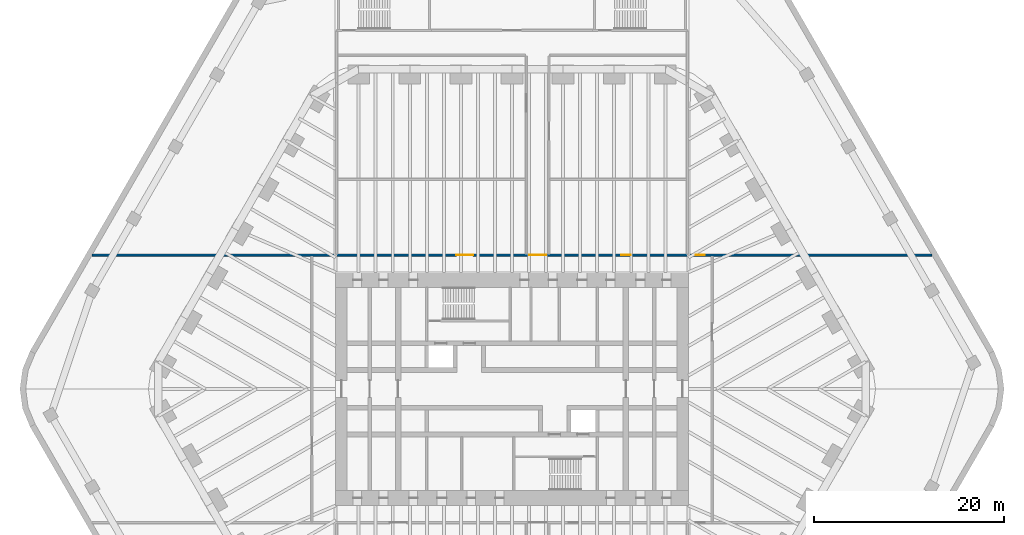
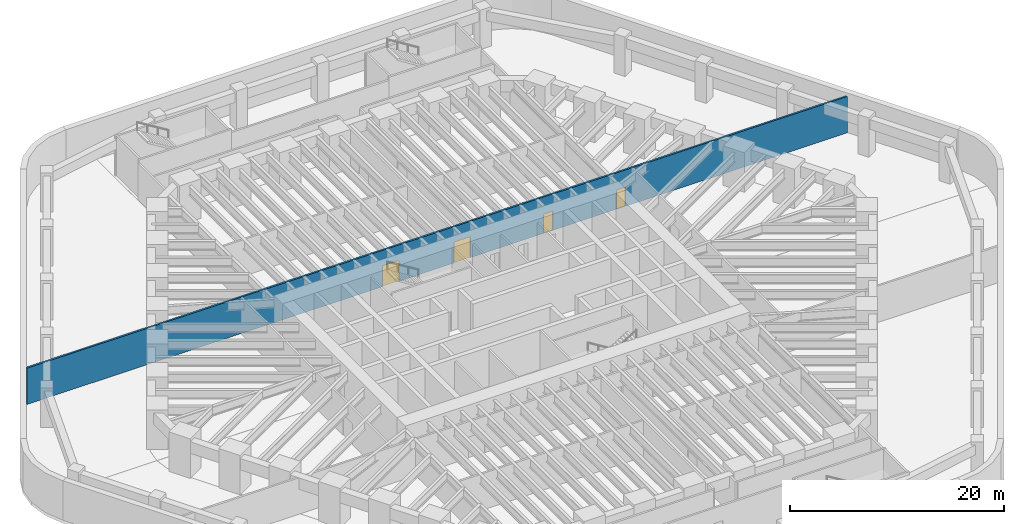
# One storey, part 8 of 12: 4 doors, 1 wall, 4 openings.
"""IFC4 building model written with IfcOpenShell, lengths in metres."""

from ifc_helpers import new_model, si_unit, direction, frame, frame_2d, origin, place, context, subcontext, project, spatial, rectangle, extrude, material, layer, layer_set, type_object, element, fill, save


model = new_model("IFC4")

# Units and contexts
model_context = context("Model", 3, precision=1e-05, world=origin(), true_north=direction((0.0, 1.0)))
body_context = subcontext(model_context, "Body", "Model", "MODEL_VIEW")
ifc_project = project(units=[si_unit("LENGTHUNIT", "METRE"), si_unit("AREAUNIT", "SQUARE_METRE"), si_unit("VOLUMEUNIT", "CUBIC_METRE"), si_unit("PLANEANGLEUNIT", "RADIAN"), si_unit("MASSUNIT", "GRAM", prefix="KILO")], contexts=[model_context])

# Site, building, storey
site_placement = place(None, origin())
site = spatial("IfcSite", under=ifc_project, at=site_placement, CompositionType="ELEMENT")
building_placement = place(site_placement, origin())
building = spatial("IfcBuilding", under=site, at=building_placement, Name="Tarfa Lantern Tower", CompositionType="ELEMENT")
storey_placement = place(building_placement, frame((0.0, 0.0, -4.5)))
storey = spatial("IfcBuildingStorey", under=building, at=storey_placement, Name="B1", CompositionType="ELEMENT", Elevation=-4.5)

# Wall, openings, doors
ifc_material_1 = material(Name="Concrete blockwork", Category="masonry")
ifc_layer = layer(ifc_material_1, 0.199951171875)
ifc_layer_set = layer_set([ifc_layer], Name="IW1 BLOCKWORK PARTITION 200 EI 120")
wall_type = type_object("IfcWallType", Name="IW1 BLOCKWORK PARTITION 200 EI 120", PredefinedType="PARTITIONING", material=ifc_layer_set)
wall_placement = place(storey_placement, frame((-44.28271484375, 14.10009765625, 0.0), z_axis=(0.0, 0.0, 1.0), x_axis=(1.0, 0.0, 0.0)))
wall = element("IfcWall", 1, at=wall_placement, inside=storey, type_object=wall_type, Name="Fire-rated partition", PredefinedType="PARTITIONING", context=body_context, shape_type="SweptSolid", body=[
    extrude(rectangle(XDim=88.5654296875, YDim=0.199951171875, at=frame_2d((44.28271484375, 0.0))), origin(), (0.0, 0.0, 1.0), 4.14990234375),
])
opening_1_placement = place(wall_placement, frame((38.3828125, 0.0, 0.0)))
opening_1 = element("IfcOpeningElement", 2, at=opening_1_placement, cuts=wall, Name="Opening D45", PredefinedType="OPENING", context=body_context, shape_type="SweptSolid", body=[
    extrude(rectangle(XDim=1.800048828125, YDim=2.39990234375, at=frame_2d((0.89990234375, 1.199951171875))), frame((0.0, 0.10986328125, 0.0), z_axis=(0.0, -1.0, 0.0), x_axis=(1.0, 0.0, 0.0)), (0.0, 0.0, 1.0), 0.219970703125),
])
opening_2_placement = place(wall_placement, frame((55.78271484375, 0.0, 0.0)))
opening_2 = element("IfcOpeningElement", 3, at=opening_2_placement, cuts=wall, Name="Opening D43", PredefinedType="OPENING", context=body_context, shape_type="SweptSolid", body=[
    extrude(rectangle(XDim=1.0, YDim=2.199951171875, at=frame_2d((0.5, 1.10009765625))), frame((0.0, 0.10986328125, 0.0), z_axis=(0.0, -1.0, 0.0), x_axis=(1.0, 0.0, 0.0)), (0.0, 0.0, 1.0), 0.219970703125),
])
opening_3_placement = place(wall_placement, frame((46.082763671875, 0.0, 0.0)))
opening_3 = element("IfcOpeningElement", 4, at=opening_3_placement, cuts=wall, Name="Opening D47", PredefinedType="OPENING", context=body_context, shape_type="SweptSolid", body=[
    extrude(rectangle(XDim=1.800048828125, YDim=2.39990234375, at=frame_2d((0.89990234375, 1.199951171875))), frame((0.0, 0.10986328125, 0.0), z_axis=(0.0, -1.0, 0.0), x_axis=(1.0, 0.0, 0.0)), (0.0, 0.0, 1.0), 0.219970703125),
])
opening_4_placement = place(wall_placement, frame((63.6328125, 0.0, 0.0)))
opening_4 = element("IfcOpeningElement", 5, at=opening_4_placement, cuts=wall, Name="Opening D34", PredefinedType="OPENING", context=body_context, shape_type="SweptSolid", body=[
    extrude(rectangle(XDim=1.0, YDim=2.199951171875, at=frame_2d((0.5, 1.10009765625))), frame((0.0, 0.10986328125, 0.0), z_axis=(0.0, -1.0, 0.0), x_axis=(1.0, 0.0, 0.0)), (0.0, 0.0, 1.0), 0.219970703125),
])
ifc_material_2 = material(Name="Steel fire door", Category="steel")
door_type_1 = type_object("IfcDoorType", Name="DF7 FIRE DOOR 1800x2400", OperationType="DOUBLE_DOOR_SINGLE_SWING", PredefinedType="DOOR", material=ifc_material_2)
door_1_placement = place(opening_1_placement, origin())
door_1 = element("IfcDoor", 6, at=door_1_placement, inside=storey, type_object=door_type_1, Name="Cycle store door", OperationType="DOUBLE_DOOR_SINGLE_SWING", OverallHeight=2.39990234375, OverallWidth=1.800048828125, PredefinedType="DOOR", context=body_context, shape_type="SweptSolid", body=[
    extrude(rectangle(XDim=1.800048828125, YDim=2.39990234375, at=frame_2d((0.89990234375, 1.199951171875))), frame((0.0, 0.02490234375, 0.0), z_axis=(0.0, -1.0, 0.0), x_axis=(1.0, 0.0, 0.0)), (0.0, 0.0, 1.0), 0.050048828125),
])
fill(opening_1, door_1)
door_2_placement = place(opening_3_placement, origin())
door_2 = element("IfcDoor", 7, at=door_2_placement, inside=storey, type_object=door_type_1, Name="Corridor door", OperationType="DOUBLE_DOOR_SINGLE_SWING", OverallHeight=2.39990234375, OverallWidth=1.800048828125, PredefinedType="DOOR", context=body_context, shape_type="SweptSolid", body=[
    extrude(rectangle(XDim=1.800048828125, YDim=2.39990234375, at=frame_2d((0.89990234375, 1.199951171875))), frame((0.0, 0.02490234375, 0.0), z_axis=(0.0, -1.0, 0.0), x_axis=(1.0, 0.0, 0.0)), (0.0, 0.0, 1.0), 0.050048828125),
])
fill(opening_3, door_2)
door_type_2 = type_object("IfcDoorType", Name="DF8 FIRE DOOR 1000x2200", OperationType="SINGLE_SWING_LEFT", PredefinedType="DOOR", material=ifc_material_2)
door_3_placement = place(opening_2_placement, origin())
door_3 = element("IfcDoor", 8, at=door_3_placement, inside=storey, type_object=door_type_2, Name="Changing room door", OperationType="SINGLE_SWING_LEFT", OverallHeight=2.199951171875, OverallWidth=1.0, PredefinedType="DOOR", context=body_context, shape_type="SweptSolid", body=[
    extrude(rectangle(XDim=1.0, YDim=2.199951171875, at=frame_2d((0.5, 1.10009765625))), frame((0.0, 0.02490234375, 0.0), z_axis=(0.0, -1.0, 0.0), x_axis=(1.0, 0.0, 0.0)), (0.0, 0.0, 1.0), 0.050048828125),
])
fill(opening_2, door_3)
door_4_placement = place(opening_4_placement, origin())
door_4 = element("IfcDoor", 9, at=door_4_placement, inside=storey, type_object=door_type_2, Name="Plant room door", OperationType="SINGLE_SWING_RIGHT", OverallHeight=2.199951171875, OverallWidth=1.0, PredefinedType="DOOR", context=body_context, shape_type="SweptSolid", body=[
    extrude(rectangle(XDim=1.0, YDim=2.199951171875, at=frame_2d((0.5, 1.10009765625))), frame((0.0, 0.02490234375, 0.0), z_axis=(0.0, -1.0, 0.0), x_axis=(1.0, 0.0, 0.0)), (0.0, 0.0, 1.0), 0.050048828125),
])
fill(opening_4, door_4)

save(model, "model.ifc")
